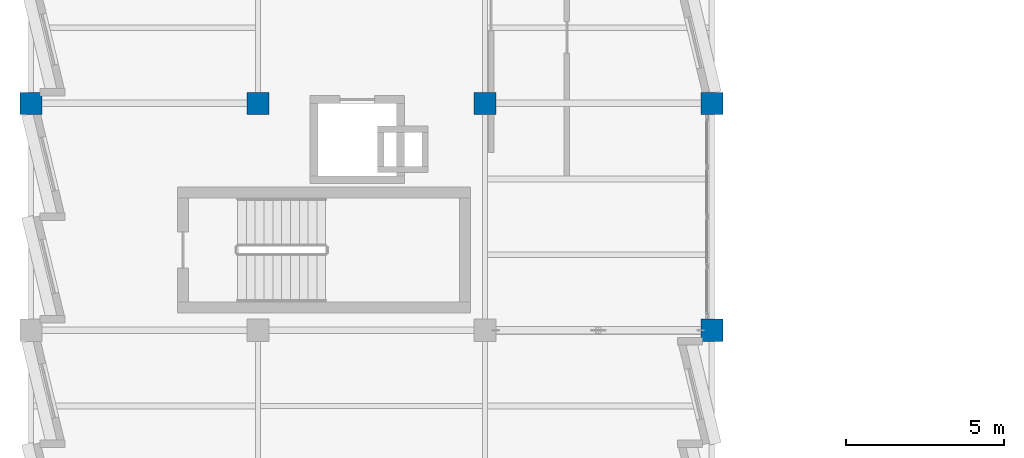
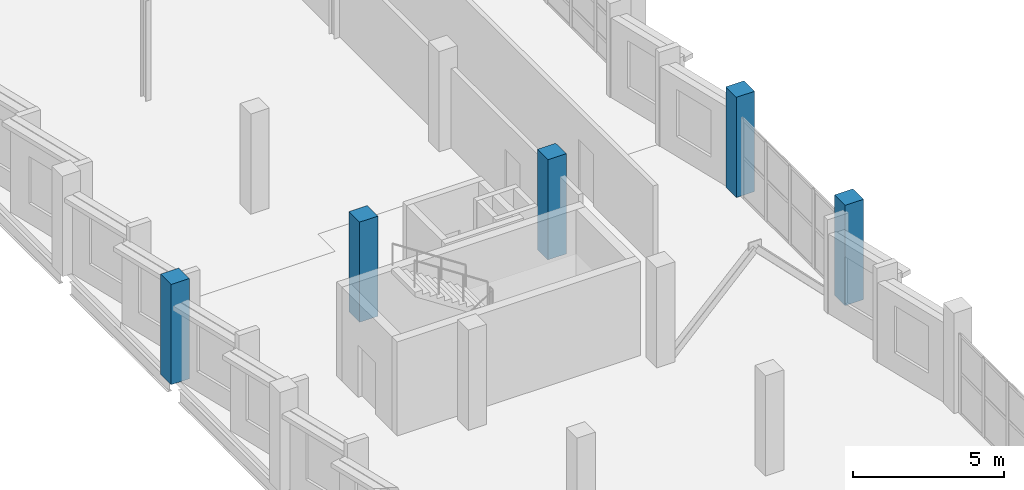
# One storey, part 4 of 33: 5 columns.
"""IFC4 building model written with IfcOpenShell, lengths in metres."""

from ifc_helpers import new_model, si_unit, direction, frame, origin, origin_2d, place, context, subcontext, project, spatial, rectangle, extrude, material, material_profile, profile_set, type_object, element, save


model = new_model("IFC4")

# Units and contexts
model_context = context("Model", 3, precision=1e-05, world=origin(), true_north=direction((0.0, 1.0)))
body_context = subcontext(model_context, "Body", "Model", "MODEL_VIEW")
ifc_project = project(units=[si_unit("LENGTHUNIT", "METRE"), si_unit("AREAUNIT", "SQUARE_METRE"), si_unit("VOLUMEUNIT", "CUBIC_METRE"), si_unit("PLANEANGLEUNIT", "RADIAN"), si_unit("MASSUNIT", "GRAM", prefix="KILO")], contexts=[model_context])

# Site, building, storey
site_placement = place(None, origin())
site = spatial("IfcSite", under=ifc_project, at=site_placement, CompositionType="ELEMENT")
building_placement = place(site_placement, origin())
building = spatial("IfcBuilding", under=site, at=building_placement, Name="Kalmorath City Hall", CompositionType="ELEMENT")
storey_placement = place(building_placement, frame((0.0, 0.0, 22.949951171875)))
storey = spatial("IfcBuildingStorey", under=building, at=storey_placement, Name="L05", CompositionType="ELEMENT", Elevation=22.949951171875)

# Columns
ifc_material = material(Name="Concrete C50/60", Category="concrete")
ifc_material_profile = material_profile(ifc_material, rectangle(XDim=0.699951171875, YDim=0.699951171875, at=origin_2d()), Name="RC-COL-700X700")
ifc_profile_set = profile_set([ifc_material_profile], Name="Concrete C50/60")
column_type = type_object("IfcColumnType", Name="Concrete column 700x700", PredefinedType="COLUMN", material=ifc_profile_set)
for number, where, z_axis, x_axis, name in (
    (1, (0.0, 57.60009765625, 0.0), (0.0, 0.0, 1.0), (1.0, 0.0, 0.0), "L05 column C4 (1/9)"),
    (2, (7.199951171875, 57.60009765625, 0.0), (0.0, 0.0, 1.0), (1.0, 0.0, 0.0), "L05 column C4 (2/9)"),
    (3, (14.39990234375, 57.60009765625, 0.0), (0.0, 0.0, 1.0), (1.0, 0.0, 0.0), "L05 column C4 (3/9)"),
    (4, (21.60009765625, 50.39990234375, 0.0), (0.0, 0.0, 1.0), (1.0, 0.0, 0.0), "L05 column C4 (4/8)"),
    (5, (21.60009765625, 57.60009765625, 0.0), (0.0, 0.0, 1.0), (1.0, 0.0, 0.0), "L05 column C4 (4/9)"),
):
    element("IfcColumn", number, at=place(storey_placement, frame(where, z_axis=z_axis, x_axis=x_axis)), inside=storey, type_object=column_type, Name=name, PredefinedType="COLUMN", context=body_context, shape_type="SweptSolid", body=[
        extrude(rectangle(XDim=0.699951171875, YDim=0.699951171875, at=origin_2d()), origin(), (0.0, 0.0, 1.0), 4.050048828125),
    ])

save(model, "model.ifc")
